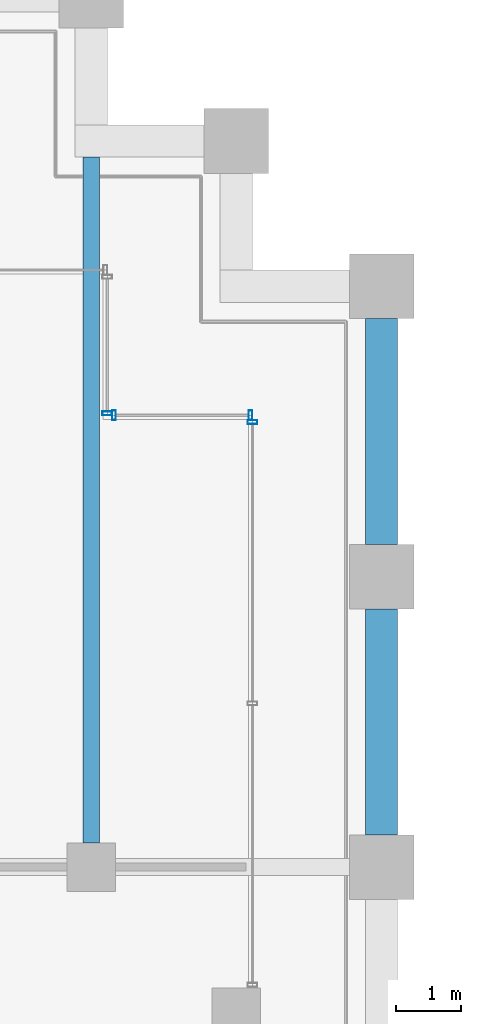
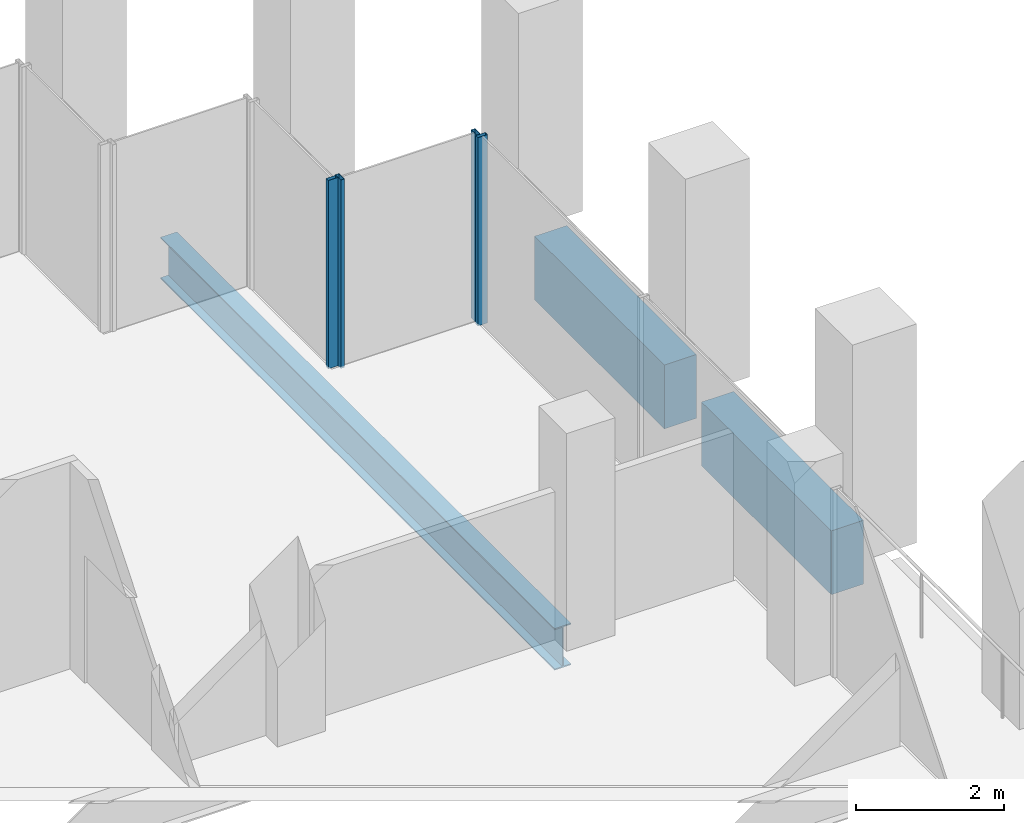
# One storey, part 25 of 46: 4 members, 3 beams, 3 elements without a shape of their own.
"""IFC4 building model written with IfcOpenShell, lengths in metres."""

from ifc_helpers import new_model, si_unit, direction, frame, origin, origin_2d, place, context, subcontext, project, spatial, rectangle, hollow_rectangle, i_section, extrude, material, material_profile, profile_set, type_object, element, aggregate, save


model = new_model("IFC4")

# Units and contexts
model_context = context("Model", 3, precision=1e-05, world=origin(), true_north=direction((0.0, 1.0)))
body_context = subcontext(model_context, "Body", "Model", "MODEL_VIEW")
ifc_project = project(units=[si_unit("LENGTHUNIT", "METRE"), si_unit("AREAUNIT", "SQUARE_METRE"), si_unit("VOLUMEUNIT", "CUBIC_METRE"), si_unit("PLANEANGLEUNIT", "RADIAN"), si_unit("MASSUNIT", "GRAM", prefix="KILO")], contexts=[model_context])

# Site, building, storey
site_placement = place(None, origin())
site = spatial("IfcSite", under=ifc_project, at=site_placement, CompositionType="ELEMENT")
building_placement = place(site_placement, origin())
building = spatial("IfcBuilding", under=site, at=building_placement, Name="Altepetl Exchange Towers", CompositionType="ELEMENT")
storey_placement = place(building_placement, frame((0.0, 0.0, 135.199951171875)))
storey = spatial("IfcBuildingStorey", under=building, at=storey_placement, Name="L33", CompositionType="ELEMENT", Elevation=135.199951171875)

# Beam
ifc_material_1 = material(Name="Steel S355", Category="steel")
ifc_material_profile_1 = material_profile(ifc_material_1, i_section(OverallWidth=0.25390625, OverallDepth=0.68408203125, WebThickness=0.012451171875, FlangeThickness=0.018798828125, at=origin_2d()), Name="W27X94")
ifc_profile_set_1 = profile_set([ifc_material_profile_1], Name="Steel S355")
beam_type_1 = type_object("IfcBeamType", Name="Floor beam W27X94", PredefinedType="BEAM", material=ifc_profile_set_1)
beam_placement = place(storey_placement, frame((67.5, 58.875, -0.491943359375), z_axis=(0.0, 1.0, 0.0), x_axis=(-1.0, 0.0, 0.0)))
element("IfcBeam", 1, at=beam_placement, inside=storey, type_object=beam_type_1, Name="bm:A:L33:005", PredefinedType="BEAM", context=body_context, shape_type="SweptSolid", body=[
    extrude(i_section(OverallWidth=0.25390625, OverallDepth=0.68408203125, WebThickness=0.012451171875, FlangeThickness=0.018798828125, at=origin_2d()), origin(), (0.0, 0.0, 1.0), 10.625),
])

# Curtain wall, member
ifc_material_2 = material(Name="Aluminium 6063-T6 glazing", Category="aluminium")
curtain_wall_type = type_object("IfcCurtainWallType", Name="Loggia glazing system", PredefinedType="NOTDEFINED", material=ifc_material_2)
curtain_wall_1_placement = place(storey_placement, origin())
curtain_wall_1 = element("IfcCurtainWall", 2, at=curtain_wall_1_placement, inside=storey, type_object=curtain_wall_type, Name="CW1 run", PredefinedType="NOTDEFINED")
ifc_material_3 = material(Name="Aluminium 6063-T6", Category="aluminium")
ifc_material_profile_2 = material_profile(ifc_material_3, hollow_rectangle(XDim=0.06005859375, YDim=0.14990234375, WallThickness=0.0029296875, at=origin_2d()), Name="Mullion 60x150 aluminium")
ifc_profile_set_2 = profile_set([ifc_material_profile_2], Name="Aluminium 6063-T6")
member_type = type_object("IfcMemberType", Name="Mullion 60x150 aluminium", PredefinedType="MULLION", material=ifc_profile_set_2)
member_1_placement = place(storey_placement, frame((70.0, 65.39501953125, 0.0), z_axis=(0.0, 0.0, 1.0), x_axis=(0.0, 1.0, 0.0)))
member_1 = element("IfcMember", 3, at=member_1_placement, type_object=member_type, Name="MU1 mullion", PredefinedType="MULLION", context=body_context, shape_type="SweptSolid", body=[
    extrude(hollow_rectangle(XDim=0.06005859375, YDim=0.14990234375, WallThickness=0.0029296875, at=origin_2d()), origin(), (0.0, 0.0, 1.0), 3.10009765625),
])
aggregate(curtain_wall_1, [member_1])

# Curtain wall, members
curtain_wall_2_placement = place(storey_placement, origin())
curtain_wall_2 = element("IfcCurtainWall", 4, at=curtain_wall_2_placement, inside=storey, type_object=curtain_wall_type, Name="CW1 run", PredefinedType="NOTDEFINED")
member_2_placement = place(storey_placement, frame((69.969970703125, 65.5, 0.0), z_axis=(0.0, 0.0, 1.0), x_axis=(-1.0, 0.0, 0.0)))
member_2 = element("IfcMember", 5, at=member_2_placement, type_object=member_type, Name="MU1 mullion", PredefinedType="MULLION", context=body_context, shape_type="SweptSolid", body=[
    extrude(hollow_rectangle(XDim=0.06005859375, YDim=0.14990234375, WallThickness=0.0029296875, at=origin_2d()), origin(), (0.0, 0.0, 1.0), 3.10009765625),
])
member_3_placement = place(storey_placement, frame((67.85498046875, 65.5, 0.0), z_axis=(0.0, 0.0, 1.0), x_axis=(-1.0, 0.0, 0.0)))
member_3 = element("IfcMember", 6, at=member_3_placement, type_object=member_type, Name="MU1 mullion", PredefinedType="MULLION", context=body_context, shape_type="SweptSolid", body=[
    extrude(hollow_rectangle(XDim=0.06005859375, YDim=0.14990234375, WallThickness=0.0029296875, at=origin_2d()), origin(), (0.0, 0.0, 1.0), 3.10009765625),
])
aggregate(curtain_wall_2, [member_2, member_3])

# Curtain wall, member
curtain_wall_3_placement = place(storey_placement, origin())
curtain_wall_3 = element("IfcCurtainWall", 7, at=curtain_wall_3_placement, inside=storey, type_object=curtain_wall_type, Name="CW1 run", PredefinedType="NOTDEFINED")
member_4_placement = place(storey_placement, frame((67.75, 65.530029296875, 0.0), z_axis=(0.0, 0.0, 1.0), x_axis=(0.0, 1.0, 0.0)))
member_4 = element("IfcMember", 8, at=member_4_placement, type_object=member_type, Name="MU1 mullion", PredefinedType="MULLION", context=body_context, shape_type="SweptSolid", body=[
    extrude(hollow_rectangle(XDim=0.06005859375, YDim=0.14990234375, WallThickness=0.0029296875, at=origin_2d()), origin(), (0.0, 0.0, 1.0), 3.10009765625),
])
aggregate(curtain_wall_3, [member_4])

# Beams
ifc_material_4 = material(Name="Concrete C50/60 precast with cantera rosa facing", Category="concrete")
ifc_material_profile_3 = material_profile(ifc_material_4, rectangle(XDim=0.5, YDim=1.050048828125, at=origin_2d()), Name="500 x 1050")
ifc_profile_set_3 = profile_set([ifc_material_profile_3], Name="Concrete C50/60 precast with cantera rosa facing")
beam_type_2 = type_object("IfcBeamType", Name="Spandrel beam 500x1050 cantera rosa", PredefinedType="SPANDREL", material=ifc_profile_set_3)
for number, where, z_axis, x_axis, name in (
    (9, (72.0, 59.0, -0.675048828125), (0.0, 1.0, 0.0), (-1.0, 0.0, 0.0), "sp:A:L33:018"),
    (10, (72.0, 63.5, -0.675048828125), (0.0, 1.0, 0.0), (-1.0, 0.0, 0.0), "sp:A:L33:019"),
):
    element("IfcBeam", number, at=place(storey_placement, frame(where, z_axis=z_axis, x_axis=x_axis)), inside=storey, type_object=beam_type_2, Name=name, PredefinedType="SPANDREL", context=body_context, shape_type="SweptSolid", body=[
        extrude(rectangle(XDim=0.5, YDim=1.050048828125, at=origin_2d()), origin(), (0.0, 0.0, 1.0), 3.5),
    ])

save(model, "model.ifc")
